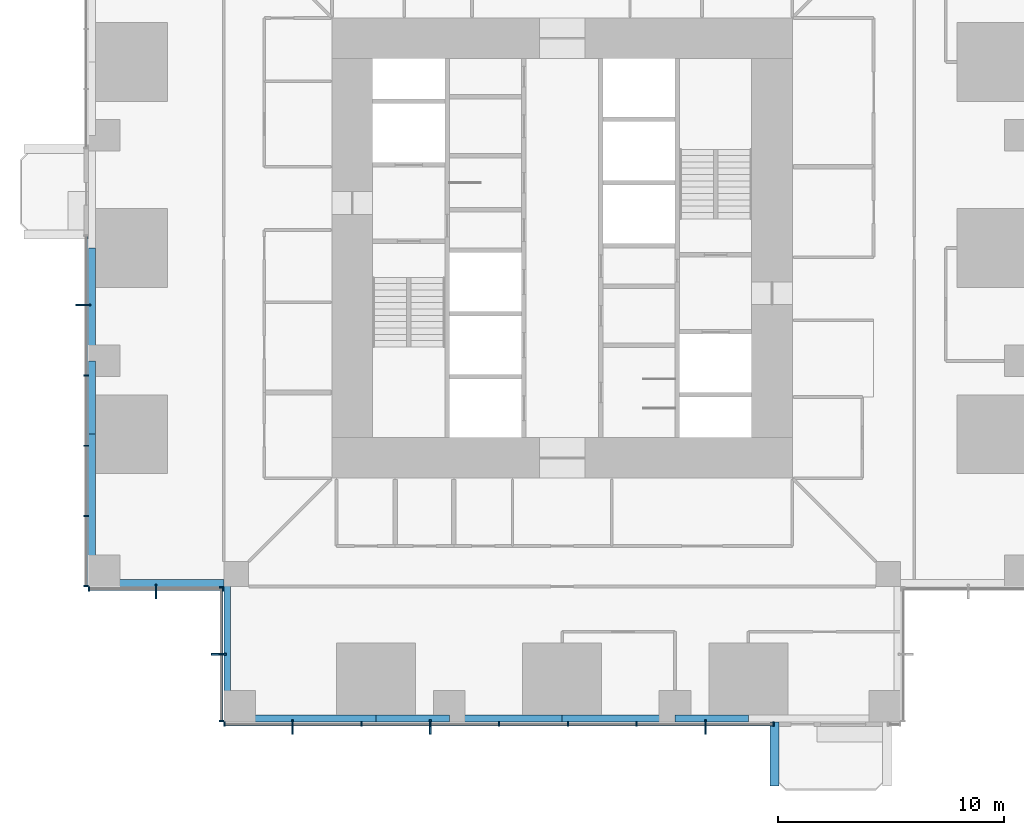
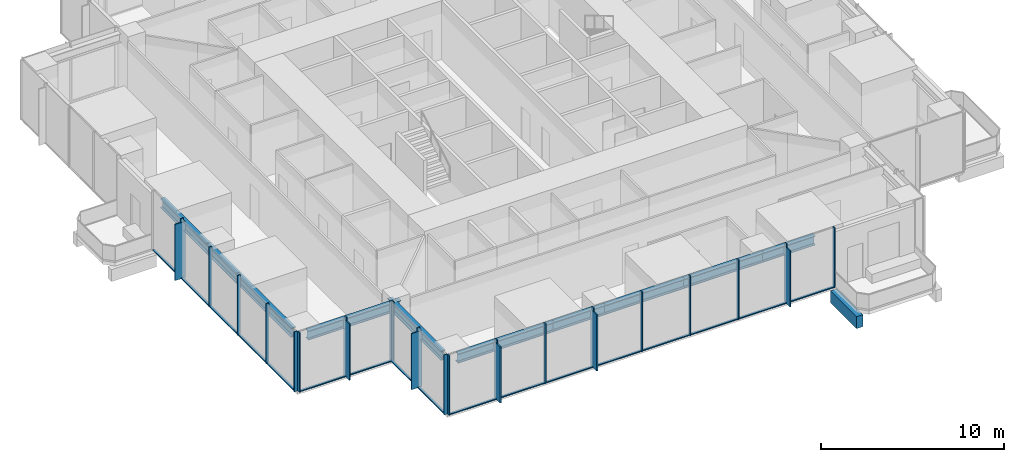
# One storey, part 2 of 15: 43 members, 11 beams, 4 elements without a shape of their own.
"""IFC4 building model written with IfcOpenShell, lengths in metres."""

from ifc_helpers import new_model, si_unit, direction, frame, origin, origin_2d, place, context, subcontext, project, spatial, rectangle, i_section, extrude, material, material_profile, profile_set, type_object, element, aggregate, save


model = new_model("IFC4")

# Units and contexts
model_context = context("Model", 3, precision=1e-05, world=origin(), true_north=direction((0.0, 1.0)))
body_context = subcontext(model_context, "Body", "Model", "MODEL_VIEW")
ifc_project = project(units=[si_unit("LENGTHUNIT", "METRE"), si_unit("AREAUNIT", "SQUARE_METRE"), si_unit("VOLUMEUNIT", "CUBIC_METRE"), si_unit("PLANEANGLEUNIT", "RADIAN"), si_unit("MASSUNIT", "GRAM", prefix="KILO")], contexts=[model_context])

# Site, building, storey
site_placement = place(None, origin())
site = spatial("IfcSite", under=ifc_project, at=site_placement, CompositionType="ELEMENT")
building_placement = place(site_placement, origin())
building = spatial("IfcBuilding", under=site, at=building_placement, Name="Svetlomir Tower", CompositionType="ELEMENT")
storey_placement = place(building_placement, frame((0.0, 0.0, 66.5)))
storey = spatial("IfcBuildingStorey", under=building, at=storey_placement, Name="L15", CompositionType="ELEMENT", Elevation=66.5)

# Beam
ifc_material_1 = material(Name="Concrete C60/75", Category="concrete")
ifc_material_profile_1 = material_profile(ifc_material_1, rectangle(XDim=0.39990234375, YDim=0.800048828125, at=origin_2d()), Name="RC 400x800")
ifc_profile_set_1 = profile_set([ifc_material_profile_1], Name="Concrete C60/75")
beam_type_1 = type_object("IfcBeamType", Name="BALCONY RIB RC 400x800", PredefinedType="BEAM", material=ifc_profile_set_1)
beam_1_placement = place(storey_placement, frame((30.39990234375, 0.0, -0.64990234375), z_axis=(0.0, -1.0, 0.0), x_axis=(1.0, 0.0, 0.0)))
element("IfcBeam", 1, at=beam_1_placement, inside=storey, type_object=beam_type_1, Name="Balcony rib S 1 L15", PredefinedType="BEAM", context=body_context, shape_type="SweptSolid", body=[
    extrude(rectangle(XDim=0.39990234375, YDim=0.800048828125, at=origin_2d()), origin(), (0.0, 0.0, 1.0), 2.85009765625),
])

# Curtain wall, members
ifc_material_2 = material(Name="Bronze anodised aluminium curtain wall", Category="aluminium")
curtain_wall_type = type_object("IfcCurtainWallType", Name="CURTAIN WALL CW1 TOWER OFFICE", PredefinedType="NOTDEFINED", material=ifc_material_2)
curtain_wall_1_placement = place(storey_placement, origin())
curtain_wall_1 = element("IfcCurtainWall", 2, at=curtain_wall_1_placement, inside=storey, type_object=curtain_wall_type, Name="Curtain wall CW1 L15", PredefinedType="NOTDEFINED")
ifc_material_3 = material(Name="Bronze anodised aluminium", Category="aluminium")
ifc_material_profile_2 = material_profile(ifc_material_3, rectangle(XDim=0.080078125, YDim=0.64990234375, at=origin_2d()), Name="FIN 80x650")
ifc_profile_set_2 = profile_set([ifc_material_profile_2], Name="Bronze anodised aluminium 6063-T6")
member_type_1 = type_object("IfcMemberType", Name="BRONZE FIN 80x650", PredefinedType="USERDEFINED", material=ifc_profile_set_2)
member_1_placement = place(storey_placement, frame((9.050048828125, -0.22509765625, 0.0), z_axis=(0.0, 0.0, 1.0), x_axis=(1.0, 0.0, 0.0)))
member_1 = element("IfcMember", 3, at=member_1_placement, type_object=member_type_1, Name="Bronze fin L15", ObjectType="FIN", PredefinedType="USERDEFINED", context=body_context, shape_type="SweptSolid", body=[
    extrude(rectangle(XDim=0.080078125, YDim=0.64990234375, at=origin_2d()), origin(), (0.0, 0.0, 1.0), 3.75),
])
member_2_placement = place(storey_placement, frame((15.14990234375, -0.22509765625, 0.0), z_axis=(0.0, 0.0, 1.0), x_axis=(1.0, 0.0, 0.0)))
member_2 = element("IfcMember", 4, at=member_2_placement, type_object=member_type_1, Name="Bronze fin L15", ObjectType="FIN", PredefinedType="USERDEFINED", context=body_context, shape_type="SweptSolid", body=[
    extrude(rectangle(XDim=0.080078125, YDim=0.64990234375, at=origin_2d()), origin(), (0.0, 0.0, 1.0), 3.75),
])
member_3_placement = place(storey_placement, frame((27.35009765625, -0.22509765625, 0.0), z_axis=(0.0, 0.0, 1.0), x_axis=(1.0, 0.0, 0.0)))
member_3 = element("IfcMember", 5, at=member_3_placement, type_object=member_type_1, Name="Bronze fin L15", ObjectType="FIN", PredefinedType="USERDEFINED", context=body_context, shape_type="SweptSolid", body=[
    extrude(rectangle(XDim=0.080078125, YDim=0.64990234375, at=origin_2d()), origin(), (0.0, 0.0, 1.0), 3.75),
])

# Curtain wall, member
curtain_wall_2_placement = place(storey_placement, origin())
curtain_wall_2 = element("IfcCurtainWall", 6, at=curtain_wall_2_placement, inside=storey, type_object=curtain_wall_type, Name="Curtain wall CW1 L15", PredefinedType="NOTDEFINED")
member_4_placement = place(storey_placement, frame((-0.22509765625, 18.47998046875, 0.0), z_axis=(0.0, 0.0, 1.0), x_axis=(0.0, 1.0, 0.0)))
member_4 = element("IfcMember", 7, at=member_4_placement, type_object=member_type_1, Name="Bronze fin L15", ObjectType="FIN", PredefinedType="USERDEFINED", context=body_context, shape_type="SweptSolid", body=[
    extrude(rectangle(XDim=0.080078125, YDim=0.64990234375, at=origin_2d()), origin(), (0.0, 0.0, 1.0), 3.75),
])

curtain_wall_3_placement = place(storey_placement, origin())
curtain_wall_3 = element("IfcCurtainWall", 8, at=curtain_wall_3_placement, inside=storey, type_object=curtain_wall_type, Name="Curtain wall CW1 L15", PredefinedType="NOTDEFINED")
member_5_placement = place(storey_placement, frame((3.0, 5.77490234375, 0.0), z_axis=(0.0, 0.0, 1.0), x_axis=(1.0, 0.0, 0.0)))
member_5 = element("IfcMember", 9, at=member_5_placement, type_object=member_type_1, Name="Bronze fin L15", ObjectType="FIN", PredefinedType="USERDEFINED", context=body_context, shape_type="SweptSolid", body=[
    extrude(rectangle(XDim=0.080078125, YDim=0.64990234375, at=origin_2d()), origin(), (0.0, 0.0, 1.0), 3.75),
])

curtain_wall_4_placement = place(storey_placement, origin())
curtain_wall_4 = element("IfcCurtainWall", 10, at=curtain_wall_4_placement, inside=storey, type_object=curtain_wall_type, Name="Curtain wall CW1 L15", PredefinedType="NOTDEFINED")
member_6_placement = place(storey_placement, frame((5.77490234375, 3.0, 0.0), z_axis=(0.0, 0.0, 1.0), x_axis=(0.0, 1.0, 0.0)))
member_6 = element("IfcMember", 11, at=member_6_placement, type_object=member_type_1, Name="Bronze fin L15", ObjectType="FIN", PredefinedType="USERDEFINED", context=body_context, shape_type="SweptSolid", body=[
    extrude(rectangle(XDim=0.080078125, YDim=0.64990234375, at=origin_2d()), origin(), (0.0, 0.0, 1.0), 3.75),
])

# Member
ifc_material_4 = material(Name="Bronze anodised aluminium", Category="aluminium")
ifc_material_profile_3 = material_profile(ifc_material_4, rectangle(XDim=0.06494140625, YDim=0.199951171875, at=origin_2d()), Name="AL 65x200")
ifc_profile_set_3 = profile_set([ifc_material_profile_3], Name="Bronze anodised aluminium 6063-T6")
member_type_2 = type_object("IfcMemberType", Name="CW1 MULLION 65x200", PredefinedType="MULLION", material=ifc_profile_set_3)
member_7_placement = place(storey_placement, frame((6.032470703125, -0.10009765625, 0.0), z_axis=(0.0, 0.0, 1.0), x_axis=(1.0, 0.0, 0.0)))
member_7 = element("IfcMember", 12, at=member_7_placement, type_object=member_type_2, Name="CW1 mullion 1", PredefinedType="MULLION", context=body_context, shape_type="SweptSolid", body=[
    extrude(rectangle(XDim=0.06494140625, YDim=0.199951171875, at=origin_2d()), origin(), (0.0, 0.0, 1.0), 4.0),
])

member_8_placement = place(storey_placement, frame((9.050048828125, -0.10009765625, 0.0), z_axis=(0.0, 0.0, 1.0), x_axis=(1.0, 0.0, 0.0)))
member_8 = element("IfcMember", 13, at=member_8_placement, type_object=member_type_2, Name="CW1 mullion 2", PredefinedType="MULLION", context=body_context, shape_type="SweptSolid", body=[
    extrude(rectangle(XDim=0.06494140625, YDim=0.199951171875, at=origin_2d()), origin(), (0.0, 0.0, 1.0), 4.0),
])

member_9_placement = place(storey_placement, frame((12.10009765625, -0.10009765625, 0.0), z_axis=(0.0, 0.0, 1.0), x_axis=(1.0, 0.0, 0.0)))
member_9 = element("IfcMember", 14, at=member_9_placement, type_object=member_type_2, Name="CW1 mullion 3", PredefinedType="MULLION", context=body_context, shape_type="SweptSolid", body=[
    extrude(rectangle(XDim=0.06494140625, YDim=0.199951171875, at=origin_2d()), origin(), (0.0, 0.0, 1.0), 4.0),
])

member_10_placement = place(storey_placement, frame((15.14990234375, -0.10009765625, 0.0), z_axis=(0.0, 0.0, 1.0), x_axis=(1.0, 0.0, 0.0)))
member_10 = element("IfcMember", 15, at=member_10_placement, type_object=member_type_2, Name="CW1 mullion 4", PredefinedType="MULLION", context=body_context, shape_type="SweptSolid", body=[
    extrude(rectangle(XDim=0.06494140625, YDim=0.199951171875, at=origin_2d()), origin(), (0.0, 0.0, 1.0), 4.0),
])

member_11_placement = place(storey_placement, frame((18.199951171875, -0.10009765625, 0.0), z_axis=(0.0, 0.0, 1.0), x_axis=(1.0, 0.0, 0.0)))
member_11 = element("IfcMember", 16, at=member_11_placement, type_object=member_type_2, Name="CW1 mullion 5", PredefinedType="MULLION", context=body_context, shape_type="SweptSolid", body=[
    extrude(rectangle(XDim=0.06494140625, YDim=0.199951171875, at=origin_2d()), origin(), (0.0, 0.0, 1.0), 4.0),
])

member_12_placement = place(storey_placement, frame((21.25, -0.10009765625, 0.0), z_axis=(0.0, 0.0, 1.0), x_axis=(1.0, 0.0, 0.0)))
member_12 = element("IfcMember", 17, at=member_12_placement, type_object=member_type_2, Name="CW1 mullion 6", PredefinedType="MULLION", context=body_context, shape_type="SweptSolid", body=[
    extrude(rectangle(XDim=0.06494140625, YDim=0.199951171875, at=origin_2d()), origin(), (0.0, 0.0, 1.0), 4.0),
])

member_13_placement = place(storey_placement, frame((24.300048828125, -0.10009765625, 0.0), z_axis=(0.0, 0.0, 1.0), x_axis=(1.0, 0.0, 0.0)))
member_13 = element("IfcMember", 18, at=member_13_placement, type_object=member_type_2, Name="CW1 mullion 7", PredefinedType="MULLION", context=body_context, shape_type="SweptSolid", body=[
    extrude(rectangle(XDim=0.06494140625, YDim=0.199951171875, at=origin_2d()), origin(), (0.0, 0.0, 1.0), 4.0),
])

member_14_placement = place(storey_placement, frame((27.35009765625, -0.10009765625, 0.0), z_axis=(0.0, 0.0, 1.0), x_axis=(1.0, 0.0, 0.0)))
member_14 = element("IfcMember", 19, at=member_14_placement, type_object=member_type_2, Name="CW1 mullion 8", PredefinedType="MULLION", context=body_context, shape_type="SweptSolid", body=[
    extrude(rectangle(XDim=0.06494140625, YDim=0.199951171875, at=origin_2d()), origin(), (0.0, 0.0, 1.0), 4.0),
])

member_15_placement = place(storey_placement, frame((30.367431640625, -0.10009765625, 0.0), z_axis=(0.0, 0.0, 1.0), x_axis=(1.0, 0.0, 0.0)))
member_15 = element("IfcMember", 20, at=member_15_placement, type_object=member_type_2, Name="CW1 mullion 9", PredefinedType="MULLION", context=body_context, shape_type="SweptSolid", body=[
    extrude(rectangle(XDim=0.06494140625, YDim=0.199951171875, at=origin_2d()), origin(), (0.0, 0.0, 1.0), 4.0),
])

member_16_placement = place(storey_placement, frame((-0.10009765625, 18.47998046875, 0.0), z_axis=(0.0, 0.0, 1.0), x_axis=(0.0, -1.0, 0.0)))
member_16 = element("IfcMember", 21, at=member_16_placement, type_object=member_type_2, Name="CW1 mullion 2", PredefinedType="MULLION", context=body_context, shape_type="SweptSolid", body=[
    extrude(rectangle(XDim=0.06494140625, YDim=0.199951171875, at=origin_2d()), origin(), (0.0, 0.0, 1.0), 4.0),
])

member_17_placement = place(storey_placement, frame((-0.10009765625, 15.360107421875, 0.0), z_axis=(0.0, 0.0, 1.0), x_axis=(0.0, -1.0, 0.0)))
member_17 = element("IfcMember", 22, at=member_17_placement, type_object=member_type_2, Name="CW1 mullion 3", PredefinedType="MULLION", context=body_context, shape_type="SweptSolid", body=[
    extrude(rectangle(XDim=0.06494140625, YDim=0.199951171875, at=origin_2d()), origin(), (0.0, 0.0, 1.0), 4.0),
])

member_18_placement = place(storey_placement, frame((-0.10009765625, 12.239990234375, 0.0), z_axis=(0.0, 0.0, 1.0), x_axis=(0.0, -1.0, 0.0)))
member_18 = element("IfcMember", 23, at=member_18_placement, type_object=member_type_2, Name="CW1 mullion 4", PredefinedType="MULLION", context=body_context, shape_type="SweptSolid", body=[
    extrude(rectangle(XDim=0.06494140625, YDim=0.199951171875, at=origin_2d()), origin(), (0.0, 0.0, 1.0), 4.0),
])

member_19_placement = place(storey_placement, frame((-0.10009765625, 9.1201171875, 0.0), z_axis=(0.0, 0.0, 1.0), x_axis=(0.0, -1.0, 0.0)))
member_19 = element("IfcMember", 24, at=member_19_placement, type_object=member_type_2, Name="CW1 mullion 5", PredefinedType="MULLION", context=body_context, shape_type="SweptSolid", body=[
    extrude(rectangle(XDim=0.06494140625, YDim=0.199951171875, at=origin_2d()), origin(), (0.0, 0.0, 1.0), 4.0),
])

member_20_placement = place(storey_placement, frame((-0.10009765625, 6.032470703125, 0.0), z_axis=(0.0, 0.0, 1.0), x_axis=(0.0, -1.0, 0.0)))
member_20 = element("IfcMember", 25, at=member_20_placement, type_object=member_type_2, Name="CW1 mullion 6", PredefinedType="MULLION", context=body_context, shape_type="SweptSolid", body=[
    extrude(rectangle(XDim=0.06494140625, YDim=0.199951171875, at=origin_2d()), origin(), (0.0, 0.0, 1.0), 4.0),
])

member_21_placement = place(storey_placement, frame((0.032470703125, 5.89990234375, 0.0), z_axis=(0.0, 0.0, 1.0), x_axis=(1.0, 0.0, 0.0)))
member_21 = element("IfcMember", 26, at=member_21_placement, type_object=member_type_2, Name="CW1 mullion 1", PredefinedType="MULLION", context=body_context, shape_type="SweptSolid", body=[
    extrude(rectangle(XDim=0.06494140625, YDim=0.199951171875, at=origin_2d()), origin(), (0.0, 0.0, 1.0), 4.0),
])

member_22_placement = place(storey_placement, frame((3.0, 5.89990234375, 0.0), z_axis=(0.0, 0.0, 1.0), x_axis=(1.0, 0.0, 0.0)))
member_22 = element("IfcMember", 27, at=member_22_placement, type_object=member_type_2, Name="CW1 mullion 2", PredefinedType="MULLION", context=body_context, shape_type="SweptSolid", body=[
    extrude(rectangle(XDim=0.06494140625, YDim=0.199951171875, at=origin_2d()), origin(), (0.0, 0.0, 1.0), 4.0),
])

member_23_placement = place(storey_placement, frame((5.967529296875, 5.89990234375, 0.0), z_axis=(0.0, 0.0, 1.0), x_axis=(1.0, 0.0, 0.0)))
member_23 = element("IfcMember", 28, at=member_23_placement, type_object=member_type_2, Name="CW1 mullion 3", PredefinedType="MULLION", context=body_context, shape_type="SweptSolid", body=[
    extrude(rectangle(XDim=0.06494140625, YDim=0.199951171875, at=origin_2d()), origin(), (0.0, 0.0, 1.0), 4.0),
])

member_24_placement = place(storey_placement, frame((5.89990234375, 5.967529296875, 0.0), z_axis=(0.0, 0.0, 1.0), x_axis=(0.0, -1.0, 0.0)))
member_24 = element("IfcMember", 29, at=member_24_placement, type_object=member_type_2, Name="CW1 mullion 1", PredefinedType="MULLION", context=body_context, shape_type="SweptSolid", body=[
    extrude(rectangle(XDim=0.06494140625, YDim=0.199951171875, at=origin_2d()), origin(), (0.0, 0.0, 1.0), 4.0),
])

member_25_placement = place(storey_placement, frame((5.89990234375, 3.0, 0.0), z_axis=(0.0, 0.0, 1.0), x_axis=(0.0, -1.0, 0.0)))
member_25 = element("IfcMember", 30, at=member_25_placement, type_object=member_type_2, Name="CW1 mullion 2", PredefinedType="MULLION", context=body_context, shape_type="SweptSolid", body=[
    extrude(rectangle(XDim=0.06494140625, YDim=0.199951171875, at=origin_2d()), origin(), (0.0, 0.0, 1.0), 4.0),
])

member_26_placement = place(storey_placement, frame((5.89990234375, 0.032470703125, 0.0), z_axis=(0.0, 0.0, 1.0), x_axis=(0.0, -1.0, 0.0)))
member_26 = element("IfcMember", 31, at=member_26_placement, type_object=member_type_2, Name="CW1 mullion 3", PredefinedType="MULLION", context=body_context, shape_type="SweptSolid", body=[
    extrude(rectangle(XDim=0.06494140625, YDim=0.199951171875, at=origin_2d()), origin(), (0.0, 0.0, 1.0), 4.0),
])

ifc_material_5 = material(Name="Bronze anodised aluminium", Category="aluminium")
ifc_material_profile_4 = material_profile(ifc_material_5, rectangle(XDim=0.139892578125, YDim=0.06494140625, at=origin_2d()), Name="AL 140x65")
ifc_profile_set_4 = profile_set([ifc_material_profile_4], Name="Bronze anodised aluminium 6063-T6")
member_type_3 = type_object("IfcMemberType", Name="CW1 TRANSOM 65x140", PredefinedType="USERDEFINED", material=ifc_profile_set_4)
member_27_placement = place(storey_placement, frame((6.06494140625, -0.10009765625, 0.032470703125), z_axis=(1.0, 0.0, 0.0), x_axis=(0.0, 1.0, 0.0)))
member_27 = element("IfcMember", 32, at=member_27_placement, type_object=member_type_3, Name="CW1 transom 1.1", ObjectType="TRANSOM", PredefinedType="USERDEFINED", context=body_context, shape_type="SweptSolid", body=[
    extrude(rectangle(XDim=0.139892578125, YDim=0.06494140625, at=origin_2d()), origin(), (0.0, 0.0, 1.0), 2.95263671875),
])

member_28_placement = place(storey_placement, frame((9.08251953125, -0.10009765625, 0.032470703125), z_axis=(1.0, 0.0, 0.0), x_axis=(0.0, 1.0, 0.0)))
member_28 = element("IfcMember", 33, at=member_28_placement, type_object=member_type_3, Name="CW1 transom 2.1", ObjectType="TRANSOM", PredefinedType="USERDEFINED", context=body_context, shape_type="SweptSolid", body=[
    extrude(rectangle(XDim=0.139892578125, YDim=0.06494140625, at=origin_2d()), origin(), (0.0, 0.0, 1.0), 2.98486328125),
])

member_29_placement = place(storey_placement, frame((12.132568359375, -0.10009765625, 0.032470703125), z_axis=(1.0, 0.0, 0.0), x_axis=(0.0, 1.0, 0.0)))
member_29 = element("IfcMember", 34, at=member_29_placement, type_object=member_type_3, Name="CW1 transom 3.1", ObjectType="TRANSOM", PredefinedType="USERDEFINED", context=body_context, shape_type="SweptSolid", body=[
    extrude(rectangle(XDim=0.139892578125, YDim=0.06494140625, at=origin_2d()), origin(), (0.0, 0.0, 1.0), 2.98486328125),
])

member_30_placement = place(storey_placement, frame((15.1826171875, -0.10009765625, 0.032470703125), z_axis=(1.0, 0.0, 0.0), x_axis=(0.0, 1.0, 0.0)))
member_30 = element("IfcMember", 35, at=member_30_placement, type_object=member_type_3, Name="CW1 transom 4.1", ObjectType="TRANSOM", PredefinedType="USERDEFINED", context=body_context, shape_type="SweptSolid", body=[
    extrude(rectangle(XDim=0.139892578125, YDim=0.06494140625, at=origin_2d()), origin(), (0.0, 0.0, 1.0), 2.98486328125),
])

member_31_placement = place(storey_placement, frame((18.232421875, -0.10009765625, 0.032470703125), z_axis=(1.0, 0.0, 0.0), x_axis=(0.0, 1.0, 0.0)))
member_31 = element("IfcMember", 36, at=member_31_placement, type_object=member_type_3, Name="CW1 transom 5.1", ObjectType="TRANSOM", PredefinedType="USERDEFINED", context=body_context, shape_type="SweptSolid", body=[
    extrude(rectangle(XDim=0.139892578125, YDim=0.06494140625, at=origin_2d()), origin(), (0.0, 0.0, 1.0), 2.985107421875),
])

member_32_placement = place(storey_placement, frame((21.282470703125, -0.10009765625, 0.032470703125), z_axis=(1.0, 0.0, 0.0), x_axis=(0.0, 1.0, 0.0)))
member_32 = element("IfcMember", 37, at=member_32_placement, type_object=member_type_3, Name="CW1 transom 6.1", ObjectType="TRANSOM", PredefinedType="USERDEFINED", context=body_context, shape_type="SweptSolid", body=[
    extrude(rectangle(XDim=0.139892578125, YDim=0.06494140625, at=origin_2d()), origin(), (0.0, 0.0, 1.0), 2.985107421875),
])

member_33_placement = place(storey_placement, frame((24.33251953125, -0.10009765625, 0.032470703125), z_axis=(1.0, 0.0, 0.0), x_axis=(0.0, 1.0, 0.0)))
member_33 = element("IfcMember", 38, at=member_33_placement, type_object=member_type_3, Name="CW1 transom 7.1", ObjectType="TRANSOM", PredefinedType="USERDEFINED", context=body_context, shape_type="SweptSolid", body=[
    extrude(rectangle(XDim=0.139892578125, YDim=0.06494140625, at=origin_2d()), origin(), (0.0, 0.0, 1.0), 2.98486328125),
])

member_34_placement = place(storey_placement, frame((27.382568359375, -0.10009765625, 0.032470703125), z_axis=(1.0, 0.0, 0.0), x_axis=(0.0, 1.0, 0.0)))
member_34 = element("IfcMember", 39, at=member_34_placement, type_object=member_type_3, Name="CW1 transom 8.1", ObjectType="TRANSOM", PredefinedType="USERDEFINED", context=body_context, shape_type="SweptSolid", body=[
    extrude(rectangle(XDim=0.139892578125, YDim=0.06494140625, at=origin_2d()), origin(), (0.0, 0.0, 1.0), 2.952392578125),
])

aggregate(curtain_wall_1, [member_7, member_8, member_9, member_10, member_11, member_12, member_13, member_14, member_15, member_27, member_28, member_29, member_30, member_31, member_32, member_33, member_34, member_1, member_2, member_3])

member_35_placement = place(storey_placement, frame((-0.10009765625, 21.534912109375, 0.032470703125), z_axis=(0.0, -1.0, 0.0), x_axis=(1.0, 0.0, 0.0)))
member_35 = element("IfcMember", 40, at=member_35_placement, type_object=member_type_3, Name="CW1 transom 1.1", ObjectType="TRANSOM", PredefinedType="USERDEFINED", context=body_context, shape_type="SweptSolid", body=[
    extrude(rectangle(XDim=0.139892578125, YDim=0.06494140625, at=origin_2d()), origin(), (0.0, 0.0, 1.0), 3.0224609375),
])

member_36_placement = place(storey_placement, frame((-0.10009765625, 18.447509765625, 0.032470703125), z_axis=(0.0, -1.0, 0.0), x_axis=(1.0, 0.0, 0.0)))
member_36 = element("IfcMember", 41, at=member_36_placement, type_object=member_type_3, Name="CW1 transom 2.1", ObjectType="TRANSOM", PredefinedType="USERDEFINED", context=body_context, shape_type="SweptSolid", body=[
    extrude(rectangle(XDim=0.139892578125, YDim=0.06494140625, at=origin_2d()), origin(), (0.0, 0.0, 1.0), 3.054931640625),
])

member_37_placement = place(storey_placement, frame((-0.10009765625, 15.327392578125, 0.032470703125), z_axis=(0.0, -1.0, 0.0), x_axis=(1.0, 0.0, 0.0)))
member_37 = element("IfcMember", 42, at=member_37_placement, type_object=member_type_3, Name="CW1 transom 3.1", ObjectType="TRANSOM", PredefinedType="USERDEFINED", context=body_context, shape_type="SweptSolid", body=[
    extrude(rectangle(XDim=0.139892578125, YDim=0.06494140625, at=origin_2d()), origin(), (0.0, 0.0, 1.0), 3.054931640625),
])

member_38_placement = place(storey_placement, frame((-0.10009765625, 12.20751953125, 0.032470703125), z_axis=(0.0, -1.0, 0.0), x_axis=(1.0, 0.0, 0.0)))
member_38 = element("IfcMember", 43, at=member_38_placement, type_object=member_type_3, Name="CW1 transom 4.1", ObjectType="TRANSOM", PredefinedType="USERDEFINED", context=body_context, shape_type="SweptSolid", body=[
    extrude(rectangle(XDim=0.139892578125, YDim=0.06494140625, at=origin_2d()), origin(), (0.0, 0.0, 1.0), 3.054931640625),
])

member_39_placement = place(storey_placement, frame((-0.10009765625, 9.08740234375, 0.032470703125), z_axis=(0.0, -1.0, 0.0), x_axis=(1.0, 0.0, 0.0)))
member_39 = element("IfcMember", 44, at=member_39_placement, type_object=member_type_3, Name="CW1 transom 5.1", ObjectType="TRANSOM", PredefinedType="USERDEFINED", context=body_context, shape_type="SweptSolid", body=[
    extrude(rectangle(XDim=0.139892578125, YDim=0.06494140625, at=origin_2d()), origin(), (0.0, 0.0, 1.0), 3.0224609375),
])

aggregate(curtain_wall_2, [member_16, member_17, member_18, member_19, member_20, member_35, member_36, member_37, member_38, member_39, member_4])

member_40_placement = place(storey_placement, frame((0.06494140625, 5.89990234375, 0.032470703125), z_axis=(1.0, 0.0, 0.0), x_axis=(0.0, 1.0, 0.0)))
member_40 = element("IfcMember", 45, at=member_40_placement, type_object=member_type_3, Name="CW1 transom 1.1", ObjectType="TRANSOM", PredefinedType="USERDEFINED", context=body_context, shape_type="SweptSolid", body=[
    extrude(rectangle(XDim=0.139892578125, YDim=0.06494140625, at=origin_2d()), origin(), (0.0, 0.0, 1.0), 2.902587890625),
])

member_41_placement = place(storey_placement, frame((3.032470703125, 5.89990234375, 0.032470703125), z_axis=(1.0, 0.0, 0.0), x_axis=(0.0, 1.0, 0.0)))
member_41 = element("IfcMember", 46, at=member_41_placement, type_object=member_type_3, Name="CW1 transom 2.1", ObjectType="TRANSOM", PredefinedType="USERDEFINED", context=body_context, shape_type="SweptSolid", body=[
    extrude(rectangle(XDim=0.139892578125, YDim=0.06494140625, at=origin_2d()), origin(), (0.0, 0.0, 1.0), 2.902587890625),
])

aggregate(curtain_wall_3, [member_21, member_22, member_23, member_40, member_41, member_5])

member_42_placement = place(storey_placement, frame((5.89990234375, 5.93505859375, 0.032470703125), z_axis=(0.0, -1.0, 0.0), x_axis=(1.0, 0.0, 0.0)))
member_42 = element("IfcMember", 47, at=member_42_placement, type_object=member_type_3, Name="CW1 transom 1.1", ObjectType="TRANSOM", PredefinedType="USERDEFINED", context=body_context, shape_type="SweptSolid", body=[
    extrude(rectangle(XDim=0.139892578125, YDim=0.06494140625, at=origin_2d()), origin(), (0.0, 0.0, 1.0), 2.902587890625),
])

member_43_placement = place(storey_placement, frame((5.89990234375, 2.967529296875, 0.032470703125), z_axis=(0.0, -1.0, 0.0), x_axis=(1.0, 0.0, 0.0)))
member_43 = element("IfcMember", 48, at=member_43_placement, type_object=member_type_3, Name="CW1 transom 2.1", ObjectType="TRANSOM", PredefinedType="USERDEFINED", context=body_context, shape_type="SweptSolid", body=[
    extrude(rectangle(XDim=0.139892578125, YDim=0.06494140625, at=origin_2d()), origin(), (0.0, 0.0, 1.0), 2.902587890625),
])

aggregate(curtain_wall_4, [member_24, member_25, member_26, member_42, member_43, member_6])

# Beams
ifc_material_6 = material(Name="Steel S355", Category="steel")
ifc_material_profile_5 = material_profile(ifc_material_6, i_section(OverallWidth=0.304931640625, OverallDepth=0.6201171875, WebThickness=0.02099609375, FlangeThickness=0.0400390625, FilletRadius=0.027099609375, at=origin_2d()), Name="HEM 600")
ifc_profile_set_5 = profile_set([ifc_material_profile_5], Name="Steel S355")
beam_type_2 = type_object("IfcBeamType", Name="EDGE BEAM HEM 600", PredefinedType="SPANDREL", material=ifc_profile_set_5)
for number, where, z_axis, x_axis, name in (
    (49, (6.699951171875, 0.152587890625, 3.43994140625), (1.0, 0.0, 0.0), (0.0, 1.0, 0.0), "Edge beam 6/0 to 11/0 under L16"),
    (50, (0.152587890625, 6.699951171875, 3.43994140625), (0.0, 1.0, 0.0), (-1.0, 0.0, 0.0), "Edge beam 0/6 to 0/11 under L16"),
):
    element("IfcBeam", number, at=place(storey_placement, frame(where, z_axis=z_axis, x_axis=x_axis)), inside=storey, type_object=beam_type_2, Name=name, PredefinedType="SPANDREL", context=body_context, shape_type="SweptSolid", body=[
        extrude(i_section(OverallWidth=0.304931640625, OverallDepth=0.6201171875, WebThickness=0.02099609375, FlangeThickness=0.0400390625, FilletRadius=0.027099609375, at=origin_2d()), origin(), (0.0, 0.0, 1.0), 6.050048828125),
    ])
for number, where, z_axis, x_axis, name in (
    (51, (12.75, 0.152587890625, 3.43994140625), (1.0, 0.0, 0.0), (0.0, 1.0, 0.0), "Edge beam 11/0 to 16/0 under L16"),
    (52, (0.152587890625, 12.75, 3.43994140625), (0.0, 1.0, 0.0), (-1.0, 0.0, 0.0), "Edge beam 0/11 to 0/16 under L16"),
):
    element("IfcBeam", number, at=place(storey_placement, frame(where, z_axis=z_axis, x_axis=x_axis)), inside=storey, type_object=beam_type_2, Name=name, PredefinedType="SPANDREL", context=body_context, shape_type="SweptSolid", body=[
        extrude(i_section(OverallWidth=0.304931640625, OverallDepth=0.6201171875, WebThickness=0.02099609375, FlangeThickness=0.0400390625, FilletRadius=0.027099609375, at=origin_2d()), origin(), (0.0, 0.0, 1.0), 3.25),
    ])
for number, where, z_axis, x_axis, name in (
    (53, (16.0, 0.152587890625, 3.43994140625), (1.0, 0.0, 0.0), (0.0, 1.0, 0.0), "Edge beam 16/0 to 21/0 under L16"),
    (54, (0.152587890625, 16.0, 3.43994140625), (0.0, 1.0, 0.0), (-1.0, 0.0, 0.0), "Edge beam 0/16 to 0/21 under L16"),
    (55, (21.0, 0.152587890625, 3.43994140625), (1.0, 0.0, 0.0), (0.0, 1.0, 0.0), "Edge beam 21/0 to 26/0 under L16"),
):
    element("IfcBeam", number, at=place(storey_placement, frame(where, z_axis=z_axis, x_axis=x_axis)), inside=storey, type_object=beam_type_2, Name=name, PredefinedType="SPANDREL", context=body_context, shape_type="SweptSolid", body=[
        extrude(i_section(OverallWidth=0.304931640625, OverallDepth=0.6201171875, WebThickness=0.02099609375, FlangeThickness=0.0400390625, FilletRadius=0.027099609375, at=origin_2d()), origin(), (0.0, 0.0, 1.0), 5.0),
    ])
beam_2_placement = place(storey_placement, frame((26.0, 0.152587890625, 3.43994140625), z_axis=(1.0, 0.0, 0.0), x_axis=(0.0, 1.0, 0.0)))
element("IfcBeam", 56, at=beam_2_placement, inside=storey, type_object=beam_type_2, Name="Edge beam 26/0 to 31/0 under L16", PredefinedType="SPANDREL", context=body_context, shape_type="SweptSolid", body=[
    extrude(i_section(OverallWidth=0.304931640625, OverallDepth=0.6201171875, WebThickness=0.02099609375, FlangeThickness=0.0400390625, FilletRadius=0.027099609375, at=origin_2d()), origin(), (0.0, 0.0, 1.0), 3.25),
])
for number, where, z_axis, x_axis, name in (
    (57, (6.152587890625, 0.699951171875, 3.43994140625), (0.0, 1.0, 0.0), (-1.0, 0.0, 0.0), "Edge beam 6/0 to 6/6 under L16"),
    (58, (0.699951171875, 6.152587890625, 3.43994140625), (1.0, 0.0, 0.0), (0.0, 1.0, 0.0), "Edge beam 0/6 to 6/6 under L16"),
):
    element("IfcBeam", number, at=place(storey_placement, frame(where, z_axis=z_axis, x_axis=x_axis)), inside=storey, type_object=beam_type_2, Name=name, PredefinedType="SPANDREL", context=body_context, shape_type="SweptSolid", body=[
        extrude(i_section(OverallWidth=0.304931640625, OverallDepth=0.6201171875, WebThickness=0.02099609375, FlangeThickness=0.0400390625, FilletRadius=0.027099609375, at=origin_2d()), origin(), (0.0, 0.0, 1.0), 5.85009765625),
    ])

save(model, "model.ifc")
